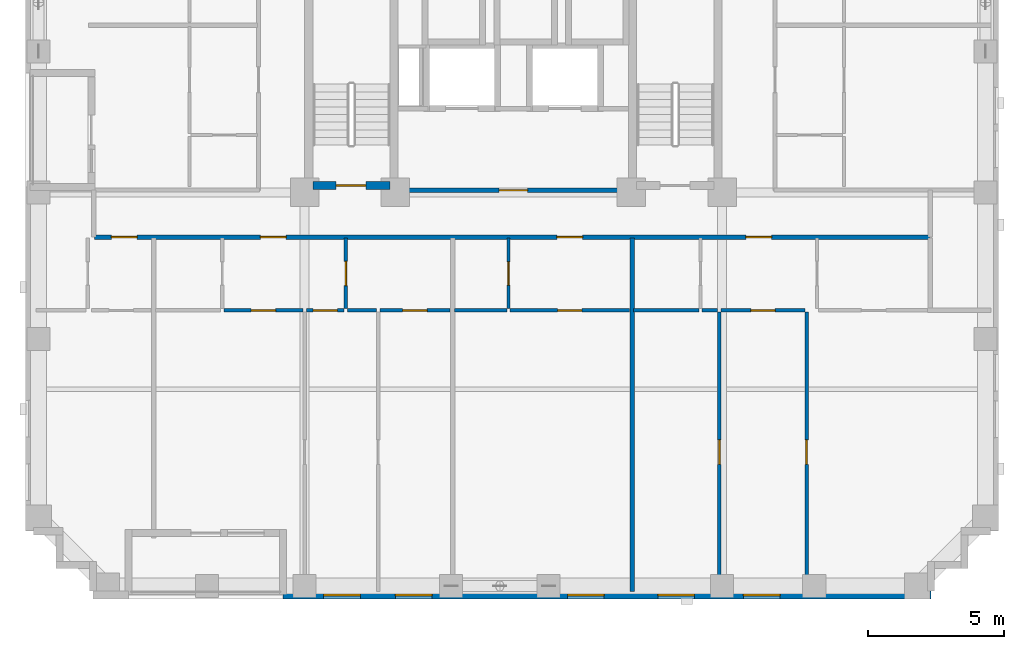
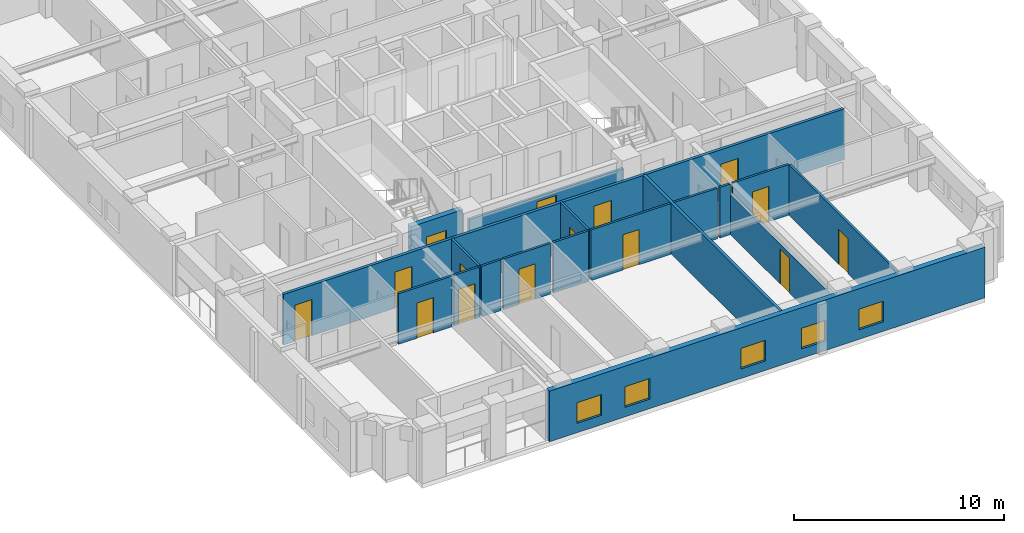
# One storey, part 3 of 12: 18 walls, 15 doors, 5 windows, 20 openings.
"""IFC4 building model written with IfcOpenShell, lengths in metres."""

import ifcopenshell
import ifcopenshell.guid

model = None  # the IFC model being written
_history = None  # IfcOwnerHistory: only IFC2X3 demands one
_inside = {}  # id of a spatial element -> (the spatial element, [elements in it])
_under = {}  # id of a project, library or spatial element -> (it, [spatial elements below it])
_declared = {}  # id of a project -> (the project, [libraries it declares])
_typed = {}  # id of a type object -> (the type object, [elements of that type])
_made_of = {}  # id of a material, layer set ... -> (it, [elements and type objects made of it])


def new_model(schema):
    """Start an empty IFC model of exactly this schema.

    Asked for "IFC4X3", IfcOpenShell would pick the latest addendum, in which some entities
    have other attributes; the version numbers below select the first issue.
    IFC2X3 requires an IfcOwnerHistory on every rooted entity: one is made here for all.
    """
    global model, _history
    if schema == "IFC4X3":
        model = ifcopenshell.file(schema_version=(4, 3, 0, 0))
    else:
        model = ifcopenshell.file(schema=schema)
    _inside.clear()
    _under.clear()
    _declared.clear()
    _typed.clear()
    _made_of.clear()
    _history = None
    if model.schema == "IFC2X3":
        org = make("IfcOrganization", Name="unknown")
        user = make(
            "IfcPersonAndOrganization",
            ThePerson=make("IfcPerson", FamilyName="unknown"),
            TheOrganization=org,
        )
        app = make(
            "IfcApplication",
            ApplicationDeveloper=org,
            Version="unknown",
            ApplicationFullName="unknown",
            ApplicationIdentifier="unknown",
        )
        _history = make(
            "IfcOwnerHistory",
            OwningUser=user,
            OwningApplication=app,
            ChangeAction="ADDED",
            CreationDate=0,
        )
    return model


def make(cls, **values):
    """One entity of the class cls with the attributes given. An attribute that is None is left unset."""
    return model.create_entity(
        cls, **{name: value for name, value in values.items() if value is not None}
    )


def rooted(cls, **values):
    """An entity with a GlobalId (a new one), such as an element, a storey or a relation."""
    return make(cls, GlobalId=ifcopenshell.guid.new(), OwnerHistory=_history, **values)


def si_unit(unit_type, name, prefix=None):
    """IfcSIUnit, for example si_unit("LENGTHUNIT", "METRE", prefix="MILLI")."""
    return make("IfcSIUnit", UnitType=unit_type, Prefix=prefix, Name=name)


def derived_unit(unit_type, elements):
    """IfcDerivedUnit: a product of units, each with its exponent."""
    return make(
        "IfcDerivedUnit",
        Elements=[
            make("IfcDerivedUnitElement", Unit=unit, Exponent=power)
            for unit, power in elements
        ],
        UnitType=unit_type,
    )


def assignment(units):
    """IfcUnitAssignment: the units of a project."""
    return None if units is None else make("IfcUnitAssignment", Units=units)


def point(xyz):
    """IfcCartesianPoint."""
    return None if xyz is None else make("IfcCartesianPoint", Coordinates=xyz)


def direction(xyz):
    """IfcDirection."""
    return None if xyz is None else make("IfcDirection", DirectionRatios=xyz)


def frame(location, z_axis=None, x_axis=None):
    """IfcAxis2Placement3D, a coordinate frame: its origin and axes. An axis left out is left unset."""
    return make(
        "IfcAxis2Placement3D",
        Location=point(location),
        Axis=direction(z_axis),
        RefDirection=direction(x_axis),
    )


def frame_2d(location, x_axis=None):
    """IfcAxis2Placement2D, a coordinate frame in the plane: its origin and x axis."""
    return make(
        "IfcAxis2Placement2D", Location=point(location), RefDirection=direction(x_axis)
    )


def origin():
    """The frame at (0, 0, 0) with its axes left unset."""
    return frame((0.0, 0.0, 0.0))


def place(relative_to, where):
    """IfcLocalPlacement: puts the frame where relative to a parent placement (None: the world)."""
    return make(
        "IfcLocalPlacement", PlacementRelTo=relative_to, RelativePlacement=where
    )


def context(
    kind, dimensions, precision=None, world=None, true_north=None, identifier=None
):
    """IfcGeometricRepresentationContext, for example the 3D "Model" context."""
    return make(
        "IfcGeometricRepresentationContext",
        ContextIdentifier=identifier,
        ContextType=kind,
        CoordinateSpaceDimension=dimensions,
        Precision=precision,
        WorldCoordinateSystem=world,
        TrueNorth=true_north,
    )


def subcontext(parent, identifier, kind, view, scale=None):
    """IfcGeometricRepresentationSubContext, for example "Body" below "Model"."""
    return make(
        "IfcGeometricRepresentationSubContext",
        ContextIdentifier=identifier,
        ContextType=kind,
        ParentContext=parent,
        TargetScale=scale,
        TargetView=view,
    )


def project(units=None, contexts=None):
    """IfcProject with its units and contexts."""
    return rooted(
        "IfcProject",
        Name="project",
        RepresentationContexts=contexts,
        UnitsInContext=assignment(units),
    )


def spatial(cls, under=None, at=None, **own):
    """A site, building, storey or space (cls), placed at a placement, below another one or the project."""
    s = rooted(cls, ObjectPlacement=at, **own)
    if under is not None:
        _under.setdefault(under.id(), (under, []))[1].append(s)
    return s


def profile(cls, at=None, kind="AREA", **sizes):
    """A parametric profile (cls). Its sizes go by their IFC names, for example OverallWidth=200.0."""
    return make(cls, ProfileType=kind, Position=at, **sizes)


def rectangle(**sizes):
    """IfcRectangleProfileDef."""
    return profile("IfcRectangleProfileDef", **sizes)


def extrude(swept, where, along, depth):
    """IfcExtrudedAreaSolid: the profile swept, set in the frame where, extruded along a direction by depth."""
    return make(
        "IfcExtrudedAreaSolid",
        SweptArea=swept,
        Position=where,
        ExtrudedDirection=direction(along),
        Depth=depth,
    )


def shape(context_of_items, identifier, shape_type, items):
    """IfcShapeRepresentation: the items that make up one representation, for example the "Body"."""
    return make(
        "IfcShapeRepresentation",
        ContextOfItems=context_of_items,
        RepresentationIdentifier=identifier,
        RepresentationType=shape_type,
        Items=items,
    )


def material(Name=None, Category=None):
    """IfcMaterial."""
    return make("IfcMaterial", Name=Name, Category=Category)


def layer(
    of_material, thickness, ventilated=None, Name=None, Category=None, Priority=None
):
    """IfcMaterialLayer: one layer of a wall or slab, of a material (None: an air gap)."""
    return make(
        "IfcMaterialLayer",
        Material=of_material,
        LayerThickness=thickness,
        IsVentilated=ventilated,
        Name=Name,
        Category=Category,
        Priority=Priority,
    )


def layer_set(layers, Name=None):
    """IfcMaterialLayerSet."""
    return make("IfcMaterialLayerSet", MaterialLayers=layers, LayerSetName=Name)


def made_of(thing, what):
    """Note that an element or type object is made of a material, layer set ...; save() writes the relation."""
    if what is not None:
        _made_of.setdefault(what.id(), (what, []))[1].append(thing)
    return thing


def type_object(cls, material=None, **own):
    """A type object (cls), such as IfcWallType, which elements share."""
    return made_of(rooted(cls, **own), material)


def element(
    cls,
    number,
    at=None,
    inside=None,
    cuts=None,
    type_object=None,
    material=None,
    context=None,
    identifier="Body",
    shape_type=None,
    held_by="IfcProductDefinitionShape",
    body=None,
    shapes=None,
    **own,
):
    """One element of the class cls, such as IfcWall. Its Tag is "e" and its number.

    at: its placement. inside: the storey or other place that contains it. cuts: it is an
    opening in that element (IfcRelVoidsElement). A single representation is given by context,
    identifier, shape_type and body (its items); several are given by shapes. held_by: the class
    of the entity that holds the representations. save() writes the other relations.
    """
    e = rooted(cls, Tag="e%d" % number, ObjectPlacement=at, **own)
    if body is not None:
        shapes = [shape(context, identifier, shape_type, body)]
    if shapes is not None:
        e.Representation = make(held_by, Representations=shapes)
    if inside is not None:
        _inside.setdefault(inside.id(), (inside, []))[1].append(e)
    if cuts is not None:
        rooted(
            "IfcRelVoidsElement", RelatingBuildingElement=cuts, RelatedOpeningElement=e
        )
    if type_object is not None:
        _typed.setdefault(type_object.id(), (type_object, []))[1].append(e)
    return made_of(e, material)


def fill(opening, filler):
    """IfcRelFillsElement: the door or window that sits in an opening."""
    return rooted(
        "IfcRelFillsElement",
        RelatingOpeningElement=opening,
        RelatedBuildingElement=filler,
    )


def aggregate(whole, parts):
    """IfcRelAggregates: a whole, such as a stair, and the parts it consists of."""
    return rooted("IfcRelAggregates", RelatingObject=whole, RelatedObjects=parts)


def save(model, path):
    """Write the relations noted so far, then the file.

    IfcRelAggregates (storeys below a building ...), IfcRelContainedInSpatialStructure (elements
    in a storey), IfcRelDefinesByType, IfcRelAssociatesMaterial and IfcRelDeclares: one each for
    every whole, place, type object, material and project.
    """
    for whole, parts in _under.values():
        aggregate(whole, parts)
    for where, things in _inside.values():
        rooted(
            "IfcRelContainedInSpatialStructure",
            RelatedElements=things,
            RelatingStructure=where,
        )
    for kind, things in _typed.values():
        rooted("IfcRelDefinesByType", RelatedObjects=things, RelatingType=kind)
    for what, things in _made_of.values():
        rooted("IfcRelAssociatesMaterial", RelatedObjects=things, RelatingMaterial=what)
    for by, libraries in _declared.values():
        rooted("IfcRelDeclares", RelatingContext=by, RelatedDefinitions=libraries)
    model.write(path)


model = new_model("IFC4")

# Units and contexts
model_context = context("Model", 3, precision=1e-05, world=origin(), true_north=direction((0.0, 1.0)))
body_context = subcontext(model_context, "Body", "Model", "MODEL_VIEW")
ifc_project = project(units=[si_unit("LENGTHUNIT", "METRE"), si_unit("AREAUNIT", "SQUARE_METRE"), si_unit("VOLUMEUNIT", "CUBIC_METRE"), si_unit("PLANEANGLEUNIT", "RADIAN"), si_unit("MASSUNIT", "GRAM", prefix="KILO"), derived_unit("THERMALTRANSMITTANCEUNIT", [(si_unit("MASSUNIT", "GRAM", prefix="KILO"), 1), (si_unit("TIMEUNIT", "SECOND"), -3), (si_unit("THERMODYNAMICTEMPERATUREUNIT", "KELVIN"), -1)])], contexts=[model_context])

# Site, building, storey
site_placement = place(None, origin())
site = spatial("IfcSite", under=ifc_project, at=site_placement, CompositionType="ELEMENT")
building_placement = place(site_placement, origin())
building = spatial("IfcBuilding", under=site, at=building_placement, Name="Korrvale Station Residences", CompositionType="ELEMENT")
storey_placement = place(building_placement, frame((0.0, 0.0, 87.89990234375)))
storey = spatial("IfcBuildingStorey", under=building, at=storey_placement, Name="L24", CompositionType="ELEMENT", Elevation=87.89990234375)

# Wall, opening, door
ifc_material_1 = material(Name="Concrete C60/75", Category="concrete")
ifc_layer_1 = layer(ifc_material_1, 0.300048828125, Name="Concrete C60/75")
ifc_layer_set_1 = layer_set([ifc_layer_1], Name="Concrete C60/75")
wall_type_1 = type_object("IfcWallType", Name="WAL-CORE-300-C60", PredefinedType="SHEAR", material=ifc_layer_set_1)
wall_1_placement = place(storey_placement, frame((18.10009765625, 15.25, 0.0), z_axis=(0.0, 0.0, 1.0), x_axis=(1.0, 0.0, 0.0)))
wall_1 = element("IfcWall", 1, at=wall_1_placement, inside=storey, type_object=wall_type_1, Name="L24 ST-1 Core Shear Wall South", PredefinedType="SHEAR", context=body_context, shape_type="SweptSolid", body=[
    extrude(rectangle(XDim=2.849853515625, YDim=0.300048828125, at=frame_2d((1.4248046875, 0.0))), origin(), (0.0, 0.0, 1.0), 2.940185546875),
])
opening_1_placement = place(wall_1_placement, frame((0.860107421875, 0.0, 0.0)))
opening_1 = element("IfcOpeningElement", 2, at=opening_1_placement, cuts=wall_1, Name="Opening SD-1100", PredefinedType="OPENING", context=body_context, shape_type="SweptSolid", body=[
    extrude(rectangle(XDim=1.10009765625, YDim=2.050048828125, at=frame_2d((0.550048828125, 1.02490234375))), frame((0.0, 0.16015625, 0.0), z_axis=(0.0, -1.0, 0.0), x_axis=(1.0, 0.0, 0.0)), (0.0, 0.0, 1.0), 0.320068359375),
])
ifc_material_2 = material(Name="Hollow-metal fire-rated stair door with closer", Category="steel")
door_type_1 = type_object("IfcDoorType", Name="DR-STAIR-1100", OperationType="NOTDEFINED", PredefinedType="DOOR", material=ifc_material_2)
door_1_placement = place(opening_1_placement, origin())
door_1 = element("IfcDoor", 3, at=door_1_placement, inside=storey, type_object=door_type_1, Name="L24 ST-1 Exit Stair Door", OperationType="SINGLE_SWING_LEFT", OverallHeight=2.050048828125, OverallWidth=1.10009765625, PredefinedType="DOOR", context=body_context, shape_type="SweptSolid", body=[
    extrude(rectangle(XDim=1.10009765625, YDim=2.050048828125, at=frame_2d((0.550048828125, 1.02490234375))), frame((0.0, 0.02490234375, 0.0), z_axis=(0.0, -1.0, 0.0), x_axis=(1.0, 0.0, 0.0)), (0.0, 0.0, 1.0), 0.050048828125),
])
fill(opening_1, door_1)

# Wall, openings, windows
ifc_material_3 = material(Name="Precast concrete C45/55", Category="concrete")
ifc_layer_2 = layer(ifc_material_3, 0.300048828125, Name="Precast concrete C45/55")
ifc_layer_set_2 = layer_set([ifc_layer_2], Name="Precast concrete C45/55")
wall_type_2 = type_object("IfcWallType", Name="WAL-EXT-PC300", PredefinedType="SOLIDWALL", material=ifc_layer_set_2)
wall_2_placement = place(storey_placement, frame((40.89990234375, 0.14990234375, 0.0), z_axis=(0.0, 0.0, 1.0), x_axis=(-1.0, 0.0, 0.0)))
wall_2 = element("IfcWall", 4, at=wall_2_placement, inside=storey, type_object=wall_type_2, Name="L24 South Exterior Precast Wall 1", PredefinedType="SOLIDWALL", context=body_context, shape_type="SweptSolid", body=[
    extrude(rectangle(XDim=23.89990234375, YDim=0.300048828125, at=frame_2d((11.949951171875, 0.0))), origin(), (0.0, 0.0, 1.0), 2.940185546875),
])
opening_2_placement = place(wall_2_placement, frame((21.044921875, 0.0, 0.550048828125)))
opening_2 = element("IfcOpeningElement", 5, at=opening_2_placement, cuts=wall_2, Name="Opening W-10", PredefinedType="OPENING", context=body_context, shape_type="SweptSolid", body=[
    extrude(rectangle(XDim=1.35009765625, YDim=1.199951171875, at=frame_2d((0.675048828125, 0.60009765625))), frame((0.0, 0.16015625, 0.0), z_axis=(0.0, -1.0, 0.0), x_axis=(1.0, 0.0, 0.0)), (0.0, 0.0, 1.0), 0.320068359375),
])
opening_3_placement = place(wall_2_placement, frame((18.39990234375, 0.0, 0.550048828125)))
opening_3 = element("IfcOpeningElement", 6, at=opening_3_placement, cuts=wall_2, Name="Opening W-10", PredefinedType="OPENING", context=body_context, shape_type="SweptSolid", body=[
    extrude(rectangle(XDim=1.35009765625, YDim=1.199951171875, at=frame_2d((0.675048828125, 0.60009765625))), frame((0.0, 0.16015625, 0.0), z_axis=(0.0, -1.0, 0.0), x_axis=(1.0, 0.0, 0.0)), (0.0, 0.0, 1.0), 0.320068359375),
])
opening_4_placement = place(wall_2_placement, frame((12.050048828125, 0.0, 0.550048828125)))
opening_4 = element("IfcOpeningElement", 7, at=opening_4_placement, cuts=wall_2, Name="Opening W-10", PredefinedType="OPENING", context=body_context, shape_type="SweptSolid", body=[
    extrude(rectangle(XDim=1.35009765625, YDim=1.199951171875, at=frame_2d((0.675048828125, 0.60009765625))), frame((0.0, 0.16015625, 0.0), z_axis=(0.0, -1.0, 0.0), x_axis=(1.0, 0.0, 0.0)), (0.0, 0.0, 1.0), 0.320068359375),
])
opening_5_placement = place(wall_2_placement, frame((8.719970703125, 0.0, 0.550048828125)))
opening_5 = element("IfcOpeningElement", 8, at=opening_5_placement, cuts=wall_2, Name="Opening W-10", PredefinedType="OPENING", context=body_context, shape_type="SweptSolid", body=[
    extrude(rectangle(XDim=1.35009765625, YDim=1.199951171875, at=frame_2d((0.675048828125, 0.60009765625))), frame((0.0, 0.16015625, 0.0), z_axis=(0.0, -1.0, 0.0), x_axis=(1.0, 0.0, 0.0)), (0.0, 0.0, 1.0), 0.320068359375),
])
opening_6_placement = place(wall_2_placement, frame((5.56298828125, 0.0, 0.550048828125)))
opening_6 = element("IfcOpeningElement", 9, at=opening_6_placement, cuts=wall_2, Name="Opening W-10", PredefinedType="OPENING", context=body_context, shape_type="SweptSolid", body=[
    extrude(rectangle(XDim=1.35009765625, YDim=1.199951171875, at=frame_2d((0.675048828125, 0.60009765625))), frame((0.0, 0.16015625, 0.0), z_axis=(0.0, -1.0, 0.0), x_axis=(1.0, 0.0, 0.0)), (0.0, 0.0, 1.0), 0.320068359375),
])
ifc_material_4 = material(Name="Thermally broken aluminium frame with triple low-e glazing", Category="aluminium")
window_type = type_object("IfcWindowType", Name="WIN-W10", PartitioningType="SINGLE_PANEL", PredefinedType="WINDOW", material=ifc_material_4)
window_1_placement = place(opening_2_placement, origin())
window_1 = element("IfcWindow", 10, at=window_1_placement, inside=storey, type_object=window_type, Name="L24 Punched Window 04", OverallHeight=1.199951171875, OverallWidth=1.35009765625, PartitioningType="SINGLE_PANEL", PredefinedType="WINDOW", context=body_context, shape_type="SweptSolid", body=[
    extrude(rectangle(XDim=1.35009765625, YDim=1.199951171875, at=frame_2d((0.675048828125, 0.60009765625))), frame((0.0, 0.030029296875, 0.0), z_axis=(0.0, -1.0, 0.0), x_axis=(1.0, 0.0, 0.0)), (0.0, 0.0, 1.0), 0.06005859375),
])
fill(opening_2, window_1)
window_2_placement = place(opening_3_placement, origin())
window_2 = element("IfcWindow", 11, at=window_2_placement, inside=storey, type_object=window_type, Name="L24 Punched Window 05", OverallHeight=1.199951171875, OverallWidth=1.35009765625, PartitioningType="SINGLE_PANEL", PredefinedType="WINDOW", context=body_context, shape_type="SweptSolid", body=[
    extrude(rectangle(XDim=1.35009765625, YDim=1.199951171875, at=frame_2d((0.675048828125, 0.60009765625))), frame((0.0, 0.030029296875, 0.0), z_axis=(0.0, -1.0, 0.0), x_axis=(1.0, 0.0, 0.0)), (0.0, 0.0, 1.0), 0.06005859375),
])
fill(opening_3, window_2)
window_3_placement = place(opening_4_placement, origin())
window_3 = element("IfcWindow", 12, at=window_3_placement, inside=storey, type_object=window_type, Name="L24 Punched Window 06", OverallHeight=1.199951171875, OverallWidth=1.35009765625, PartitioningType="SINGLE_PANEL", PredefinedType="WINDOW", context=body_context, shape_type="SweptSolid", body=[
    extrude(rectangle(XDim=1.35009765625, YDim=1.199951171875, at=frame_2d((0.675048828125, 0.60009765625))), frame((0.0, 0.030029296875, 0.0), z_axis=(0.0, -1.0, 0.0), x_axis=(1.0, 0.0, 0.0)), (0.0, 0.0, 1.0), 0.06005859375),
])
fill(opening_4, window_3)
window_4_placement = place(opening_5_placement, origin())
window_4 = element("IfcWindow", 13, at=window_4_placement, inside=storey, type_object=window_type, Name="L24 Punched Window 07", OverallHeight=1.199951171875, OverallWidth=1.35009765625, PartitioningType="SINGLE_PANEL", PredefinedType="WINDOW", context=body_context, shape_type="SweptSolid", body=[
    extrude(rectangle(XDim=1.35009765625, YDim=1.199951171875, at=frame_2d((0.675048828125, 0.60009765625))), frame((0.0, 0.030029296875, 0.0), z_axis=(0.0, -1.0, 0.0), x_axis=(1.0, 0.0, 0.0)), (0.0, 0.0, 1.0), 0.06005859375),
])
fill(opening_5, window_4)
window_5_placement = place(opening_6_placement, origin())
window_5 = element("IfcWindow", 14, at=window_5_placement, inside=storey, type_object=window_type, Name="L24 Punched Window 08", OverallHeight=1.199951171875, OverallWidth=1.35009765625, PartitioningType="SINGLE_PANEL", PredefinedType="WINDOW", context=body_context, shape_type="SweptSolid", body=[
    extrude(rectangle(XDim=1.35009765625, YDim=1.199951171875, at=frame_2d((0.675048828125, 0.60009765625))), frame((0.0, 0.030029296875, 0.0), z_axis=(0.0, -1.0, 0.0), x_axis=(1.0, 0.0, 0.0)), (0.0, 0.0, 1.0), 0.06005859375),
])
fill(opening_6, window_5)

# Wall, opening, door
ifc_material_5 = material(Name="Acoustic steel-stud gypsum board partition", Category="steel")
ifc_layer_3 = layer(ifc_material_5, 0.1201171875, Name="Acoustic steel-stud gypsum board partition")
ifc_layer_set_3 = layer_set([ifc_layer_3], Name="Acoustic steel-stud gypsum board partition")
wall_type_3 = type_object("IfcWallType", Name="WAL-PART-125", PredefinedType="PARTITIONING", material=ifc_layer_set_3)
wall_3_placement = place(storey_placement, frame((19.320068359375, 10.7099609375, 0.0), z_axis=(0.0, 0.0, 1.0), x_axis=(0.0, 1.0, 0.0)))
wall_3 = element("IfcWall", 15, at=wall_3_placement, inside=storey, type_object=wall_type_3, Name="L24 Suite Partition U02-V12", PredefinedType="PARTITIONING", context=body_context, shape_type="SweptSolid", body=[
    extrude(rectangle(XDim=2.60009765625, YDim=0.1201171875, at=frame_2d((1.300048828125, 0.0))), origin(), (0.0, 0.0, 1.0), 2.940185546875),
])
opening_7_placement = place(wall_3_placement, frame((0.85009765625, 0.0, 0.0)))
opening_7 = element("IfcOpeningElement", 16, at=opening_7_placement, cuts=wall_3, Name="Opening DI-900", PredefinedType="OPENING", context=body_context, shape_type="SweptSolid", body=[
    extrude(rectangle(XDim=0.89990234375, YDim=2.050048828125, at=frame_2d((0.449951171875, 1.02490234375))), frame((0.0, 0.070068359375, 0.0), z_axis=(0.0, -1.0, 0.0), x_axis=(1.0, 0.0, 0.0)), (0.0, 0.0, 1.0), 0.14013671875),
])
ifc_material_6 = material(Name="Painted solid-core timber interior room door", Category="wood")
door_type_2 = type_object("IfcDoorType", Name="DR-INT-900", OperationType="NOTDEFINED", PredefinedType="DOOR", material=ifc_material_6)
door_2_placement = place(opening_7_placement, origin())
door_2 = element("IfcDoor", 17, at=door_2_placement, inside=storey, type_object=door_type_2, Name="L24 Apartment 2BR L24-U02 Kitchen Door", OperationType="SINGLE_SWING_LEFT", OverallHeight=2.050048828125, OverallWidth=0.89990234375, PredefinedType="DOOR", context=body_context, shape_type="SweptSolid", body=[
    extrude(rectangle(XDim=0.89990234375, YDim=2.050048828125, at=frame_2d((0.449951171875, 1.02490234375))), frame((0.0, 0.02490234375, 0.0), z_axis=(0.0, -1.0, 0.0), x_axis=(1.0, 0.0, 0.0)), (0.0, 0.0, 1.0), 0.050048828125),
])
fill(opening_7, door_2)

wall_4_placement = place(storey_placement, frame((14.820068359375, 10.64990234375, 0.0), z_axis=(0.0, 0.0, 1.0), x_axis=(1.0, 0.0, 0.0)))
wall_4 = element("IfcWall", 18, at=wall_4_placement, inside=storey, type_object=wall_type_3, Name="L24 Suite Partition U02-H13", PredefinedType="PARTITIONING", context=body_context, shape_type="SweptSolid", body=[
    extrude(rectangle(XDim=2.919921875, YDim=0.1201171875, at=frame_2d((1.4599609375, 0.0))), origin(), (0.0, 0.0, 1.0), 2.940185546875),
])
opening_8_placement = place(wall_4_placement, frame((1.010009765625, 0.0, 0.0)))
opening_8 = element("IfcOpeningElement", 19, at=opening_8_placement, cuts=wall_4, Name="Opening DI-900", PredefinedType="OPENING", context=body_context, shape_type="SweptSolid", body=[
    extrude(rectangle(XDim=0.89990234375, YDim=2.050048828125, at=frame_2d((0.449951171875, 1.02490234375))), frame((0.0, 0.070068359375, 0.0), z_axis=(0.0, -1.0, 0.0), x_axis=(1.0, 0.0, 0.0)), (0.0, 0.0, 1.0), 0.14013671875),
])
door_3_placement = place(opening_8_placement, origin())
door_3 = element("IfcDoor", 20, at=door_3_placement, inside=storey, type_object=door_type_2, Name="L24 Apartment 2BR L24-U02 Kitchen Door", OperationType="SINGLE_SWING_RIGHT", OverallHeight=2.050048828125, OverallWidth=0.89990234375, PredefinedType="DOOR", context=body_context, shape_type="SweptSolid", body=[
    extrude(rectangle(XDim=0.89990234375, YDim=2.050048828125, at=frame_2d((0.449951171875, 1.02490234375))), frame((0.0, 0.02490234375, 0.0), z_axis=(0.0, -1.0, 0.0), x_axis=(1.0, 0.0, 0.0)), (0.0, 0.0, 1.0), 0.050048828125),
])
fill(opening_8, door_3)

wall_5_placement = place(storey_placement, frame((17.860107421875, 10.64990234375, 0.0), z_axis=(0.0, 0.0, 1.0), x_axis=(1.0, 0.0, 0.0)))
wall_5 = element("IfcWall", 21, at=wall_5_placement, inside=storey, type_object=wall_type_3, Name="L24 Suite Partition U02-H14", PredefinedType="PARTITIONING", context=body_context, shape_type="SweptSolid", body=[
    extrude(rectangle(XDim=1.39990234375, YDim=0.1201171875, at=frame_2d((0.699951171875, 0.0))), origin(), (0.0, 0.0, 1.0), 2.940185546875),
])
opening_9_placement = place(wall_5_placement, frame((0.25, 0.0, 0.0)))
opening_9 = element("IfcOpeningElement", 22, at=opening_9_placement, cuts=wall_5, Name="Opening DI-900", PredefinedType="OPENING", context=body_context, shape_type="SweptSolid", body=[
    extrude(rectangle(XDim=0.89990234375, YDim=2.050048828125, at=frame_2d((0.449951171875, 1.02490234375))), frame((0.0, 0.070068359375, 0.0), z_axis=(0.0, -1.0, 0.0), x_axis=(1.0, 0.0, 0.0)), (0.0, 0.0, 1.0), 0.14013671875),
])
door_4_placement = place(opening_9_placement, origin())
door_4 = element("IfcDoor", 23, at=door_4_placement, inside=storey, type_object=door_type_2, Name="L24 Apartment 2BR L24-U02 Kitchen Door", OperationType="SINGLE_SWING_LEFT", OverallHeight=2.050048828125, OverallWidth=0.89990234375, PredefinedType="DOOR", context=body_context, shape_type="SweptSolid", body=[
    extrude(rectangle(XDim=0.89990234375, YDim=2.050048828125, at=frame_2d((0.449951171875, 1.02490234375))), frame((0.0, 0.02490234375, 0.0), z_axis=(0.0, -1.0, 0.0), x_axis=(1.0, 0.0, 0.0)), (0.0, 0.0, 1.0), 0.050048828125),
])
fill(opening_9, door_4)

# Wall
wall_6_placement = place(storey_placement, frame((19.3798828125, 10.64990234375, 0.0), z_axis=(0.0, 0.0, 1.0), x_axis=(1.0, 0.0, 0.0)))
element("IfcWall", 24, at=wall_6_placement, inside=storey, type_object=wall_type_3, Name="L24 Suite Partition U02-H24", PredefinedType="PARTITIONING", context=body_context, shape_type="SweptSolid", body=[
    extrude(rectangle(XDim=1.072998046875, YDim=0.1201171875, at=frame_2d((0.53662109375, 0.0))), origin(), (0.0, 0.0, 1.0), 2.940185546875),
])

# Wall, opening, door
wall_7_placement = place(storey_placement, frame((20.572998046875, 10.64990234375, 0.0), z_axis=(0.0, 0.0, 1.0), x_axis=(1.0, 0.0, 0.0)))
wall_7 = element("IfcWall", 25, at=wall_7_placement, inside=storey, type_object=wall_type_3, Name="L24 Suite Partition U02-H25", PredefinedType="PARTITIONING", context=body_context, shape_type="SweptSolid", body=[
    extrude(rectangle(XDim=2.592041015625, YDim=0.1201171875, at=frame_2d((1.2958984375, 0.0))), origin(), (0.0, 0.0, 1.0), 2.940185546875),
])
opening_10_placement = place(wall_7_placement, frame((0.845947265625, 0.0, 0.0)))
opening_10 = element("IfcOpeningElement", 26, at=opening_10_placement, cuts=wall_7, Name="Opening DI-900", PredefinedType="OPENING", context=body_context, shape_type="SweptSolid", body=[
    extrude(rectangle(XDim=0.89990234375, YDim=2.050048828125, at=frame_2d((0.449951171875, 1.02490234375))), frame((0.0, 0.070068359375, 0.0), z_axis=(0.0, -1.0, 0.0), x_axis=(1.0, 0.0, 0.0)), (0.0, 0.0, 1.0), 0.14013671875),
])
door_5_placement = place(opening_10_placement, origin())
door_5 = element("IfcDoor", 27, at=door_5_placement, inside=storey, type_object=door_type_2, Name="L24 Apartment 2BR L24-U02 Home Study Room Door", OperationType="SINGLE_SWING_RIGHT", OverallHeight=2.050048828125, OverallWidth=0.89990234375, PredefinedType="DOOR", context=body_context, shape_type="SweptSolid", body=[
    extrude(rectangle(XDim=0.89990234375, YDim=2.050048828125, at=frame_2d((0.449951171875, 1.02490234375))), frame((0.0, 0.02490234375, 0.0), z_axis=(0.0, -1.0, 0.0), x_axis=(1.0, 0.0, 0.0)), (0.0, 0.0, 1.0), 0.050048828125),
])
fill(opening_10, door_5)

wall_8_placement = place(storey_placement, frame((25.322021484375, 10.7099609375, 0.0), z_axis=(0.0, 0.0, 1.0), x_axis=(0.0, 1.0, 0.0)))
wall_8 = element("IfcWall", 28, at=wall_8_placement, inside=storey, type_object=wall_type_3, Name="L24 Suite Partition U03-V01", PredefinedType="PARTITIONING", context=body_context, shape_type="SweptSolid", body=[
    extrude(rectangle(XDim=2.60009765625, YDim=0.1201171875, at=frame_2d((1.300048828125, 0.0))), origin(), (0.0, 0.0, 1.0), 2.940185546875),
])
opening_11_placement = place(wall_8_placement, frame((0.8701171875, 0.0, 0.0)))
opening_11 = element("IfcOpeningElement", 29, at=opening_11_placement, cuts=wall_8, Name="Opening DB-860", PredefinedType="OPENING", context=body_context, shape_type="SweptSolid", body=[
    extrude(rectangle(XDim=0.860107421875, YDim=2.050048828125, at=frame_2d((0.43017578125, 1.02490234375))), frame((0.0, 0.070068359375, 0.0), z_axis=(0.0, -1.0, 0.0), x_axis=(1.0, 0.0, 0.0)), (0.0, 0.0, 1.0), 0.14013671875),
])
ifc_material_7 = material(Name="Moisture-resistant solid-core bathroom door", Category="timber")
door_type_3 = type_object("IfcDoorType", Name="DR-BATH-860", OperationType="NOTDEFINED", PredefinedType="DOOR", material=ifc_material_7)
door_6_placement = place(opening_11_placement, origin())
door_6 = element("IfcDoor", 30, at=door_6_placement, inside=storey, type_object=door_type_3, Name="L24 Studio Apartment L24-U03 Bathroom Door", OperationType="SINGLE_SWING_LEFT", OverallHeight=2.050048828125, OverallWidth=0.860107421875, PredefinedType="DOOR", context=body_context, shape_type="SweptSolid", body=[
    extrude(rectangle(XDim=0.860107421875, YDim=2.050048828125, at=frame_2d((0.43017578125, 1.02490234375))), frame((0.0, 0.02490234375, 0.0), z_axis=(0.0, -1.0, 0.0), x_axis=(1.0, 0.0, 0.0)), (0.0, 0.0, 1.0), 0.050048828125),
])
fill(opening_11, door_6)

# Wall
wall_9_placement = place(storey_placement, frame((23.324951171875, 10.64990234375, 0.0), z_axis=(0.0, 0.0, 1.0), x_axis=(1.0, 0.0, 0.0)))
element("IfcWall", 31, at=wall_9_placement, inside=storey, type_object=wall_type_3, Name="L24 Suite Partition U03-H02", PredefinedType="PARTITIONING", context=body_context, shape_type="SweptSolid", body=[
    extrude(rectangle(XDim=1.93701171875, YDim=0.1201171875, at=frame_2d((0.968505859375, 0.0))), origin(), (0.0, 0.0, 1.0), 2.940185546875),
])

# Wall, opening, door
wall_10_placement = place(storey_placement, frame((25.382080078125, 10.64990234375, 0.0), z_axis=(0.0, 0.0, 1.0), x_axis=(1.0, 0.0, 0.0)))
wall_10 = element("IfcWall", 32, at=wall_10_placement, inside=storey, type_object=wall_type_3, Name="L24 Suite Partition U03-H12", PredefinedType="PARTITIONING", context=body_context, shape_type="SweptSolid", body=[
    extrude(rectangle(XDim=4.39794921875, YDim=0.1201171875, at=frame_2d((2.198974609375, 0.0))), origin(), (0.0, 0.0, 1.0), 2.940185546875),
])
opening_12_placement = place(wall_10_placement, frame((1.7490234375, 0.0, 0.0)))
opening_12 = element("IfcOpeningElement", 33, at=opening_12_placement, cuts=wall_10, Name="Opening DI-900", PredefinedType="OPENING", context=body_context, shape_type="SweptSolid", body=[
    extrude(rectangle(XDim=0.89990234375, YDim=2.050048828125, at=frame_2d((0.449951171875, 1.02490234375))), frame((0.0, 0.070068359375, 0.0), z_axis=(0.0, -1.0, 0.0), x_axis=(1.0, 0.0, 0.0)), (0.0, 0.0, 1.0), 0.14013671875),
])
door_7_placement = place(opening_12_placement, origin())
door_7 = element("IfcDoor", 34, at=door_7_placement, inside=storey, type_object=door_type_2, Name="L24 Studio Apartment L24-U03 Kitchen Door", OperationType="SINGLE_SWING_RIGHT", OverallHeight=2.050048828125, OverallWidth=0.89990234375, PredefinedType="DOOR", context=body_context, shape_type="SweptSolid", body=[
    extrude(rectangle(XDim=0.89990234375, YDim=2.050048828125, at=frame_2d((0.449951171875, 1.02490234375))), frame((0.0, 0.02490234375, 0.0), z_axis=(0.0, -1.0, 0.0), x_axis=(1.0, 0.0, 0.0)), (0.0, 0.0, 1.0), 0.050048828125),
])
fill(opening_12, door_7)

# Walls
wall_11_placement = place(storey_placement, frame((29.93994140625, 10.64990234375, 0.0), z_axis=(0.0, 0.0, 1.0), x_axis=(1.0, 0.0, 0.0)))
element("IfcWall", 35, at=wall_11_placement, inside=storey, type_object=wall_type_3, Name="L24 Suite Partition U04-H03", PredefinedType="PARTITIONING", context=body_context, shape_type="SweptSolid", body=[
    extrude(rectangle(XDim=2.400146484375, YDim=0.1201171875, at=frame_2d((1.2001953125, 0.0))), origin(), (0.0, 0.0, 1.0), 2.940185546875),
])
wall_12_placement = place(storey_placement, frame((32.4599609375, 10.64990234375, 0.0), z_axis=(0.0, 0.0, 1.0), x_axis=(1.0, 0.0, 0.0)))
element("IfcWall", 36, at=wall_12_placement, inside=storey, type_object=wall_type_3, Name="L24 Suite Partition U04-H13", PredefinedType="PARTITIONING", context=body_context, shape_type="SweptSolid", body=[
    extrude(rectangle(XDim=0.580078125, YDim=0.1201171875, at=frame_2d((0.2900390625, 0.0))), origin(), (0.0, 0.0, 1.0), 2.940185546875),
])

# Wall, opening, door
wall_13_placement = place(storey_placement, frame((33.159912109375, 10.64990234375, 0.0), z_axis=(0.0, 0.0, 1.0), x_axis=(1.0, 0.0, 0.0)))
wall_13 = element("IfcWall", 37, at=wall_13_placement, inside=storey, type_object=wall_type_3, Name="L24 Suite Partition U04-H14", PredefinedType="PARTITIONING", context=body_context, shape_type="SweptSolid", body=[
    extrude(rectangle(XDim=3.10009765625, YDim=0.1201171875, at=frame_2d((1.550048828125, 0.0))), origin(), (0.0, 0.0, 1.0), 2.940185546875),
])
opening_13_placement = place(wall_13_placement, frame((1.10009765625, 0.0, 0.0)))
opening_13 = element("IfcOpeningElement", 38, at=opening_13_placement, cuts=wall_13, Name="Opening DI-900", PredefinedType="OPENING", context=body_context, shape_type="SweptSolid", body=[
    extrude(rectangle(XDim=0.89990234375, YDim=2.050048828125, at=frame_2d((0.449951171875, 1.02490234375))), frame((0.0, 0.070068359375, 0.0), z_axis=(0.0, -1.0, 0.0), x_axis=(1.0, 0.0, 0.0)), (0.0, 0.0, 1.0), 0.14013671875),
])
door_8_placement = place(opening_13_placement, origin())
door_8 = element("IfcDoor", 39, at=door_8_placement, inside=storey, type_object=door_type_2, Name="L24 Studio Apartment L24-U04 Kitchen Door", OperationType="SINGLE_SWING_LEFT", OverallHeight=2.050048828125, OverallWidth=0.89990234375, PredefinedType="DOOR", context=body_context, shape_type="SweptSolid", body=[
    extrude(rectangle(XDim=0.89990234375, YDim=2.050048828125, at=frame_2d((0.449951171875, 1.02490234375))), frame((0.0, 0.02490234375, 0.0), z_axis=(0.0, -1.0, 0.0), x_axis=(1.0, 0.0, 0.0)), (0.0, 0.0, 1.0), 0.050048828125),
])
fill(opening_13, door_8)

wall_14_placement = place(storey_placement, frame((33.10009765625, 0.280029296875, 0.0), z_axis=(0.0, 0.0, 1.0), x_axis=(0.0, 1.0, 0.0)))
wall_14 = element("IfcWall", 40, at=wall_14_placement, inside=storey, type_object=wall_type_3, Name="L24 Suite Partition U04-V34", PredefinedType="PARTITIONING", context=body_context, shape_type="SweptSolid", body=[
    extrude(rectangle(XDim=10.31005859375, YDim=0.1201171875, at=frame_2d((5.155029296875, 0.0))), origin(), (0.0, 0.0, 1.0), 2.30908203125),
])
opening_14_placement = place(wall_14_placement, frame((4.68994140625, 0.0, 0.0)))
opening_14 = element("IfcOpeningElement", 41, at=opening_14_placement, cuts=wall_14, Name="Opening DI-900", PredefinedType="OPENING", context=body_context, shape_type="SweptSolid", body=[
    extrude(rectangle(XDim=0.89990234375, YDim=2.050048828125, at=frame_2d((0.449951171875, 1.02490234375))), frame((0.0, 0.070068359375, 0.0), z_axis=(0.0, -1.0, 0.0), x_axis=(1.0, 0.0, 0.0)), (0.0, 0.0, 1.0), 0.14013671875),
])
door_9_placement = place(opening_14_placement, origin())
door_9 = element("IfcDoor", 42, at=door_9_placement, inside=storey, type_object=door_type_2, Name="L24 Studio Apartment L24-U04 Formal Dining Room Door", OperationType="SINGLE_SWING_LEFT", OverallHeight=2.050048828125, OverallWidth=0.89990234375, PredefinedType="DOOR", context=body_context, shape_type="SweptSolid", body=[
    extrude(rectangle(XDim=0.89990234375, YDim=2.050048828125, at=frame_2d((0.449951171875, 1.02490234375))), frame((0.0, 0.02490234375, 0.0), z_axis=(0.0, -1.0, 0.0), x_axis=(1.0, 0.0, 0.0)), (0.0, 0.0, 1.0), 0.050048828125),
])
fill(opening_14, door_9)

wall_15_placement = place(storey_placement, frame((36.320068359375, 0.280029296875, 0.0), z_axis=(0.0, 0.0, 1.0), x_axis=(0.0, 1.0, 0.0)))
wall_15 = element("IfcWall", 43, at=wall_15_placement, inside=storey, type_object=wall_type_3, Name="L24 Suite Partition U04-V45", PredefinedType="PARTITIONING", context=body_context, shape_type="SweptSolid", body=[
    extrude(rectangle(XDim=10.31005859375, YDim=0.1201171875, at=frame_2d((5.155029296875, 0.0))), origin(), (0.0, 0.0, 1.0), 2.940185546875),
])
opening_15_placement = place(wall_15_placement, frame((4.68994140625, 0.0, 0.0)))
opening_15 = element("IfcOpeningElement", 44, at=opening_15_placement, cuts=wall_15, Name="Opening DI-900", PredefinedType="OPENING", context=body_context, shape_type="SweptSolid", body=[
    extrude(rectangle(XDim=0.89990234375, YDim=2.050048828125, at=frame_2d((0.449951171875, 1.02490234375))), frame((0.0, 0.070068359375, 0.0), z_axis=(0.0, -1.0, 0.0), x_axis=(1.0, 0.0, 0.0)), (0.0, 0.0, 1.0), 0.14013671875),
])
door_10_placement = place(opening_15_placement, origin())
door_10 = element("IfcDoor", 45, at=door_10_placement, inside=storey, type_object=door_type_2, Name="L24 Studio Apartment L24-U04 Formal Dining Room Door", OperationType="SINGLE_SWING_RIGHT", OverallHeight=2.050048828125, OverallWidth=0.89990234375, PredefinedType="DOOR", context=body_context, shape_type="SweptSolid", body=[
    extrude(rectangle(XDim=0.89990234375, YDim=2.050048828125, at=frame_2d((0.449951171875, 1.02490234375))), frame((0.0, 0.02490234375, 0.0), z_axis=(0.0, -1.0, 0.0), x_axis=(1.0, 0.0, 0.0)), (0.0, 0.0, 1.0), 0.050048828125),
])
fill(opening_15, door_10)

ifc_material_8 = material(Name="Fire-rated twin-stud gypsum and mineral wool shaftwall assembly", Category="gypsum")
ifc_layer_4 = layer(ifc_material_8, 0.159912109375, Name="Fire-rated twin-stud gypsum and mineral wool shaftwall assembly")
ifc_layer_set_4 = layer_set([ifc_layer_4], Name="Fire-rated twin-stud gypsum and mineral wool shaftwall assembly")
wall_type_4 = type_object("IfcWallType", Name="WAL-PART-200", PredefinedType="PARTITIONING", material=ifc_layer_set_4)
wall_16_placement = place(storey_placement, frame((21.25, 15.080078125, 0.0), z_axis=(0.0, 0.0, 1.0), x_axis=(1.0, 0.0, 0.0)))
wall_16 = element("IfcWall", 46, at=wall_16_placement, inside=storey, type_object=wall_type_4, Name="L24 Core Partition CW-FFL-S", PredefinedType="PARTITIONING", context=body_context, shape_type="SweptSolid", body=[
    extrude(rectangle(XDim=8.5, YDim=0.159912109375, at=frame_2d((4.25, 0.0))), origin(), (0.0, 0.0, 1.0), 2.30908203125),
])
opening_16_placement = place(wall_16_placement, frame((3.72509765625, 0.0, 0.0)))
opening_16 = element("IfcOpeningElement", 47, at=opening_16_placement, cuts=wall_16, Name="Opening FD-1050", PredefinedType="OPENING", context=body_context, shape_type="SweptSolid", body=[
    extrude(rectangle(XDim=1.050048828125, YDim=2.050048828125, at=frame_2d((0.52490234375, 1.02490234375))), frame((0.0, 0.08984375, 0.0), z_axis=(0.0, -1.0, 0.0), x_axis=(1.0, 0.0, 0.0)), (0.0, 0.0, 1.0), 0.179931640625),
])
ifc_material_9 = material(Name="Fire-rated mineral-core timber lobby door", Category="wood")
door_type_4 = type_object("IfcDoorType", Name="DR-CORE-1050", OperationType="NOTDEFINED", PredefinedType="DOOR", material=ifc_material_9)
door_11_placement = place(opening_16_placement, origin())
door_11 = element("IfcDoor", 48, at=door_11_placement, inside=storey, type_object=door_type_4, Name="L24 Firefighting Lobby Entry Door", OperationType="SINGLE_SWING_RIGHT", OverallHeight=2.050048828125, OverallWidth=1.050048828125, PredefinedType="DOOR", context=body_context, shape_type="SweptSolid", body=[
    extrude(rectangle(XDim=1.050048828125, YDim=2.050048828125, at=frame_2d((0.52490234375, 1.02490234375))), frame((0.0, 0.02490234375, 0.0), z_axis=(0.0, -1.0, 0.0), x_axis=(1.0, 0.0, 0.0)), (0.0, 0.0, 1.0), 0.050048828125),
])
fill(opening_16, door_11)

# Wall
wall_17_placement = place(storey_placement, frame((29.8798828125, 0.280029296875, 0.0), z_axis=(0.0, 0.0, 1.0), x_axis=(0.0, 1.0, 0.0)))
element("IfcWall", 49, at=wall_17_placement, inside=storey, type_object=wall_type_4, Name="L24 Demising Wall U04-W", PredefinedType="PARTITIONING", context=body_context, shape_type="SweptSolid", body=[
    extrude(rectangle(XDim=13.030029296875, YDim=0.159912109375, at=frame_2d((6.51513671875, 0.0))), origin(), (0.0, 0.0, 1.0), 2.940185546875),
])

# Wall, openings, doors
wall_18_placement = place(storey_placement, frame((10.050048828125, 13.35009765625, 0.0), z_axis=(0.0, 0.0, 1.0), x_axis=(1.0, 0.0, 0.0)))
wall_18 = element("IfcWall", 50, at=wall_18_placement, inside=storey, type_object=wall_type_4, Name="L24 Rated Corridor Wall S", PredefinedType="PARTITIONING", context=body_context, shape_type="SweptSolid", body=[
    extrude(rectangle(XDim=30.800048828125, YDim=0.159912109375, at=frame_2d((15.39990234375, 0.0))), origin(), (0.0, 0.0, 1.0), 2.940185546875),
])
opening_17_placement = place(wall_18_placement, frame((0.6201171875, 0.0, 0.0)))
opening_17 = element("IfcOpeningElement", 51, at=opening_17_placement, cuts=wall_18, Name="Opening UD-950", PredefinedType="OPENING", context=body_context, shape_type="SweptSolid", body=[
    extrude(rectangle(XDim=0.949951171875, YDim=2.10009765625, at=frame_2d((0.47509765625, 1.050048828125))), frame((0.0, 0.08984375, 0.0), z_axis=(0.0, -1.0, 0.0), x_axis=(1.0, 0.0, 0.0)), (0.0, 0.0, 1.0), 0.179931640625),
])
opening_18_placement = place(wall_18_placement, frame((6.114990234375, 0.0, 0.0)))
opening_18 = element("IfcOpeningElement", 52, at=opening_18_placement, cuts=wall_18, Name="Opening UD-950", PredefinedType="OPENING", context=body_context, shape_type="SweptSolid", body=[
    extrude(rectangle(XDim=0.949951171875, YDim=2.10009765625, at=frame_2d((0.47509765625, 1.050048828125))), frame((0.0, 0.08984375, 0.0), z_axis=(0.0, -1.0, 0.0), x_axis=(1.0, 0.0, 0.0)), (0.0, 0.0, 1.0), 0.179931640625),
])
opening_19_placement = place(wall_18_placement, frame((17.055908203125, 0.0, 0.0)))
opening_19 = element("IfcOpeningElement", 53, at=opening_19_placement, cuts=wall_18, Name="Opening UD-950", PredefinedType="OPENING", context=body_context, shape_type="SweptSolid", body=[
    extrude(rectangle(XDim=0.949951171875, YDim=2.10009765625, at=frame_2d((0.47509765625, 1.050048828125))), frame((0.0, 0.08984375, 0.0), z_axis=(0.0, -1.0, 0.0), x_axis=(1.0, 0.0, 0.0)), (0.0, 0.0, 1.0), 0.179931640625),
])
opening_20_placement = place(wall_18_placement, frame((24.02490234375, 0.0, 0.0)))
opening_20 = element("IfcOpeningElement", 54, at=opening_20_placement, cuts=wall_18, Name="Opening UD-950", PredefinedType="OPENING", context=body_context, shape_type="SweptSolid", body=[
    extrude(rectangle(XDim=0.949951171875, YDim=2.10009765625, at=frame_2d((0.47509765625, 1.050048828125))), frame((0.0, 0.08984375, 0.0), z_axis=(0.0, -1.0, 0.0), x_axis=(1.0, 0.0, 0.0)), (0.0, 0.0, 1.0), 0.179931640625),
])
ifc_material_10 = material(Name="Solid-core acoustic oak apartment entrance door", Category="timber")
door_type_5 = type_object("IfcDoorType", Name="DR-UNIT-950", OperationType="NOTDEFINED", PredefinedType="DOOR", material=ifc_material_10)
door_12_placement = place(opening_17_placement, origin())
door_12 = element("IfcDoor", 55, at=door_12_placement, inside=storey, type_object=door_type_5, Name="L24 Apartment L24-U01 Entrance Door", OperationType="SINGLE_SWING_LEFT", OverallHeight=2.10009765625, OverallWidth=0.949951171875, PredefinedType="DOOR", context=body_context, shape_type="SweptSolid", body=[
    extrude(rectangle(XDim=0.949951171875, YDim=2.10009765625, at=frame_2d((0.47509765625, 1.050048828125))), frame((0.0, 0.02490234375, 0.0), z_axis=(0.0, -1.0, 0.0), x_axis=(1.0, 0.0, 0.0)), (0.0, 0.0, 1.0), 0.050048828125),
])
fill(opening_17, door_12)
door_13_placement = place(opening_18_placement, origin())
door_13 = element("IfcDoor", 56, at=door_13_placement, inside=storey, type_object=door_type_5, Name="L24 Apartment L24-U02 Entrance Door", OperationType="SINGLE_SWING_RIGHT", OverallHeight=2.10009765625, OverallWidth=0.949951171875, PredefinedType="DOOR", context=body_context, shape_type="SweptSolid", body=[
    extrude(rectangle(XDim=0.949951171875, YDim=2.10009765625, at=frame_2d((0.47509765625, 1.050048828125))), frame((0.0, 0.02490234375, 0.0), z_axis=(0.0, -1.0, 0.0), x_axis=(1.0, 0.0, 0.0)), (0.0, 0.0, 1.0), 0.050048828125),
])
fill(opening_18, door_13)
door_14_placement = place(opening_19_placement, origin())
door_14 = element("IfcDoor", 57, at=door_14_placement, inside=storey, type_object=door_type_5, Name="L24 Apartment L24-U03 Entrance Door", OperationType="SINGLE_SWING_LEFT", OverallHeight=2.10009765625, OverallWidth=0.949951171875, PredefinedType="DOOR", context=body_context, shape_type="SweptSolid", body=[
    extrude(rectangle(XDim=0.949951171875, YDim=2.10009765625, at=frame_2d((0.47509765625, 1.050048828125))), frame((0.0, 0.02490234375, 0.0), z_axis=(0.0, -1.0, 0.0), x_axis=(1.0, 0.0, 0.0)), (0.0, 0.0, 1.0), 0.050048828125),
])
fill(opening_19, door_14)
door_15_placement = place(opening_20_placement, origin())
door_15 = element("IfcDoor", 58, at=door_15_placement, inside=storey, type_object=door_type_5, Name="L24 Apartment L24-U04 Entrance Door", OperationType="SINGLE_SWING_RIGHT", OverallHeight=2.10009765625, OverallWidth=0.949951171875, PredefinedType="DOOR", context=body_context, shape_type="SweptSolid", body=[
    extrude(rectangle(XDim=0.949951171875, YDim=2.10009765625, at=frame_2d((0.47509765625, 1.050048828125))), frame((0.0, 0.02490234375, 0.0), z_axis=(0.0, -1.0, 0.0), x_axis=(1.0, 0.0, 0.0)), (0.0, 0.0, 1.0), 0.050048828125),
])
fill(opening_20, door_15)

save(model, "model.ifc")
